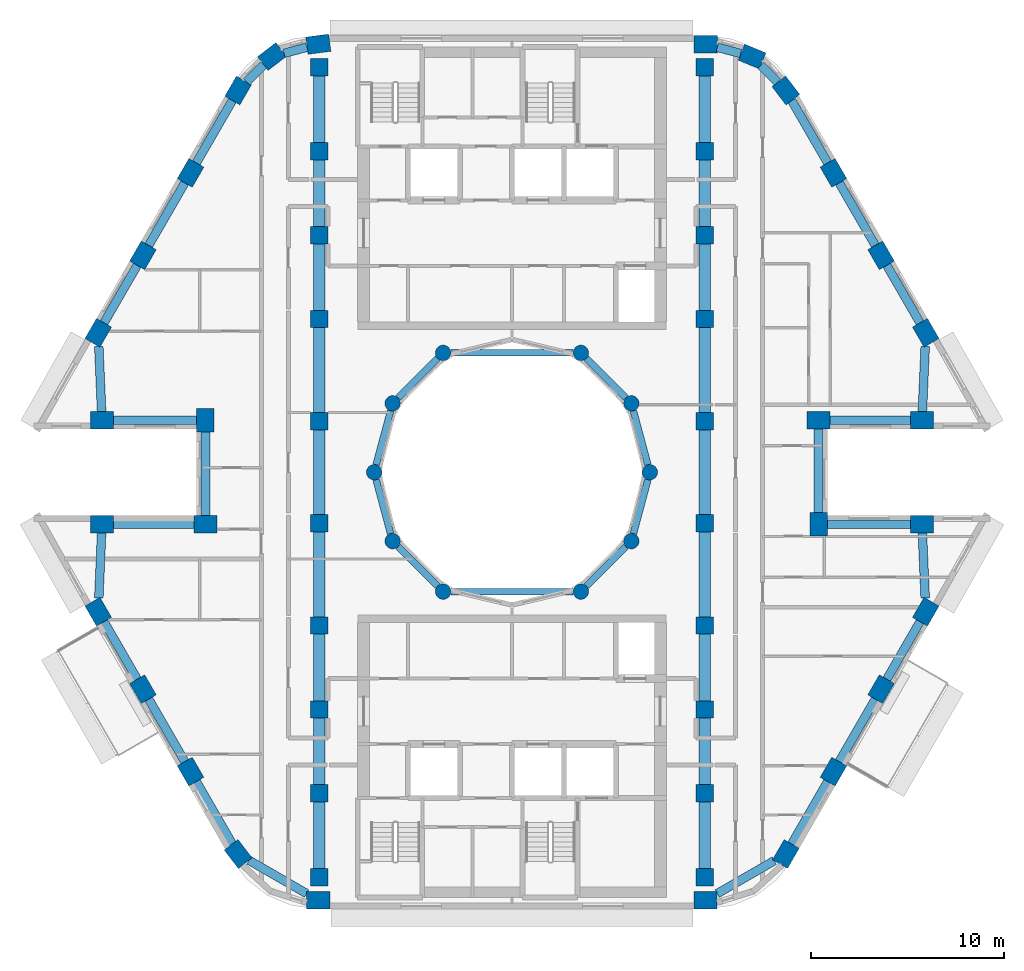
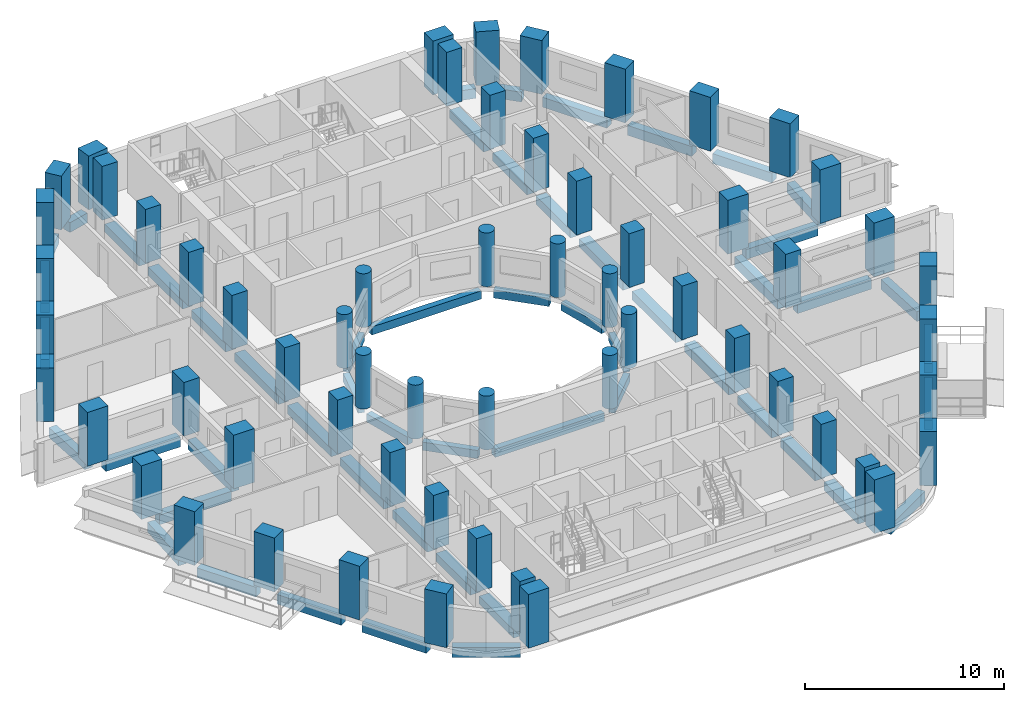
# One storey, part 1 of 16: 60 columns, 56 beams.
"""IFC4 building model written with IfcOpenShell, lengths in metres."""

from ifc_helpers import new_model, si_unit, direction, frame, origin, origin_2d, place, context, subcontext, project, spatial, rectangle, circle, extrude, material, material_profile, profile_set, type_object, element, save


model = new_model("IFC4")

# Units and contexts
model_context = context("Model", 3, precision=1e-05, world=origin(), true_north=direction((0.0, 1.0)))
body_context = subcontext(model_context, "Body", "Model", "MODEL_VIEW")
ifc_project = project(units=[si_unit("LENGTHUNIT", "METRE"), si_unit("AREAUNIT", "SQUARE_METRE"), si_unit("VOLUMEUNIT", "CUBIC_METRE"), si_unit("PLANEANGLEUNIT", "RADIAN"), si_unit("MASSUNIT", "GRAM", prefix="KILO")], contexts=[model_context])

# Site, building, storey
site_placement = place(None, origin())
site = spatial("IfcSite", under=ifc_project, at=site_placement, CompositionType="ELEMENT")
building_placement = place(site_placement, origin())
building = spatial("IfcBuilding", under=site, at=building_placement, Name="Nakaniwa Court", CompositionType="ELEMENT")
storey_placement = place(building_placement, frame((0.0, 0.0, 199.800048828125)))
storey = spatial("IfcBuildingStorey", under=building, at=storey_placement, Name="L52", CompositionType="ELEMENT", Elevation=199.800048828125)

# Columns
ifc_material = material(Name="Concrete C80/100", Category="concrete")
ifc_material_profile_1 = material_profile(ifc_material, rectangle(XDim=1.199951171875, YDim=0.89990234375, at=origin_2d()), Name="Concrete C80/100 RC 1200x900 perimeter column")
ifc_profile_set_1 = profile_set([ifc_material_profile_1], Name="Concrete C80/100")
column_type_1 = type_object("IfcColumnType", Name="Concrete C80/100 RC 1200x900 perimeter column", PredefinedType="COLUMN", material=ifc_profile_set_1)
for number, where, z_axis, x_axis, name in (
    (1, (69.95458984375, 102.199951171875, 0.0), (0.0, 0.0, 1.0), (-0.991442583111, -0.130543496177, 0.0), "COLUMN CO-01"),
    (2, (67.552001953125, 101.560302734375, 0.0), (0.0, 0.0, 1.0), (-0.793363965062, -0.608747582288, 0.0), "COLUMN CO-02"),
    (3, (65.796875, 99.799560546875, 0.0), (0.0, 0.0, 1.0), (-0.5, -0.866025403784, 0.0), "COLUMN CO-03"),
    (4, (63.328857421875, 95.524658203125, 0.0), (0.0, 0.0, 1.0), (-0.5, -0.866025403784, 0.0), "COLUMN CO-04"),
    (5, (60.860595703125, 91.249755859375, 0.0), (0.0, 0.0, 1.0), (-0.5, -0.866025403784, 0.0), "COLUMN CO-05"),
    (6, (58.541015625, 87.232177734375, 0.0), (0.0, 0.0, 1.0), (-0.5, -0.866025403784, 0.0), "COLUMN CO-06"),
    (7, (58.736083984375, 82.699951171875, 0.0), (0.0, 0.0, 1.0), (1.0, 0.0, 0.0), "COLUMN CO-08"),
    (8, (64.1005859375, 82.699951171875, 0.0), (0.0, 0.0, 1.0), (0.0, -1.0, 0.0), "COLUMN CO-09"),
    (9, (64.1005859375, 77.300048828125, 0.0), (0.0, 0.0, 1.0), (-1.0, 0.0, 0.0), "COLUMN CO-10"),
    (10, (58.736083984375, 77.300048828125, 0.0), (0.0, 0.0, 1.0), (-1.0, 0.0, 0.0), "COLUMN CO-11"),
    (11, (58.541015625, 72.767822265625, 0.0), (0.0, 0.0, 1.0), (0.5, -0.866025403784, 0.0), "COLUMN CO-13"),
    (12, (60.860595703125, 68.750244140625, 0.0), (0.0, 0.0, 1.0), (0.5, -0.866025403784, 0.0), "COLUMN CO-14"),
    (13, (63.328857421875, 64.475341796875, 0.0), (0.0, 0.0, 1.0), (0.5, -0.866025403784, 0.0), "COLUMN CO-15"),
    (14, (65.796875, 60.200439453125, 0.0), (0.0, 0.0, 1.0), (0.608761429009, -0.793353340291, 0.0), "COLUMN CO-16"),
    (15, (69.95458984375, 57.800048828125, 0.0), (0.0, 0.0, 1.0), (1.0, 0.0, 0.0), "COLUMN CO-17"),
    (16, (90.03955078125, 57.800048828125, 0.0), (0.0, 0.0, 1.0), (1.0, 0.0, 0.0), "COLUMN CO-21"),
    (17, (94.203125, 60.200439453125, 0.0), (0.0, 0.0, 1.0), (0.5, 0.866025403784, 0.0), "COLUMN CO-22"),
    (18, (96.671142578125, 64.475341796875, 0.0), (0.0, 0.0, 1.0), (0.5, 0.866025403784, 0.0), "COLUMN CO-23"),
    (19, (99.139404296875, 68.750244140625, 0.0), (0.0, 0.0, 1.0), (0.5, 0.866025403784, 0.0), "COLUMN CO-24"),
    (20, (101.458984375, 72.767822265625, 0.0), (0.0, 0.0, 1.0), (0.5, 0.866025403784, 0.0), "COLUMN CO-25"),
    (21, (101.263916015625, 77.300048828125, 0.0), (0.0, 0.0, 1.0), (-1.0, 0.0, 0.0), "COLUMN CO-27"),
    (22, (95.8994140625, 77.300048828125, 0.0), (0.0, 0.0, 1.0), (0.0, 1.0, 0.0), "COLUMN CO-28"),
    (23, (95.8994140625, 82.699951171875, 0.0), (0.0, 0.0, 1.0), (1.0, 0.0, 0.0), "COLUMN CO-29"),
    (24, (101.263916015625, 82.699951171875, 0.0), (0.0, 0.0, 1.0), (1.0, 0.0, 0.0), "COLUMN CO-30"),
    (25, (101.458984375, 87.232177734375, 0.0), (0.0, 0.0, 1.0), (-0.5, 0.866025403784, 0.0), "COLUMN CO-32"),
    (26, (99.139404296875, 91.249755859375, 0.0), (0.0, 0.0, 1.0), (-0.5, 0.866025403784, 0.0), "COLUMN CO-33"),
    (27, (96.671142578125, 95.524658203125, 0.0), (0.0, 0.0, 1.0), (-0.5, 0.866025403784, 0.0), "COLUMN CO-34"),
    (28, (94.203125, 99.799560546875, 0.0), (0.0, 0.0, 1.0), (-0.608761429009, 0.793353340291, 0.0), "COLUMN CO-35"),
    (29, (92.447998046875, 101.560302734375, 0.0), (0.0, 0.0, 1.0), (-0.923879532511, 0.382683432365, 0.0), "COLUMN CO-36"),
    (30, (90.04541015625, 102.199951171875, 0.0), (0.0, 0.0, 1.0), (-1.0, 0.0, 0.0), "COLUMN CO-37"),
):
    element("IfcColumn", number, at=place(storey_placement, frame(where, z_axis=z_axis, x_axis=x_axis)), inside=storey, type_object=column_type_1, Name=name, PredefinedType="COLUMN", context=body_context, shape_type="SweptSolid", body=[
        extrude(rectangle(XDim=1.199951171875, YDim=0.89990234375, at=origin_2d()), origin(), (0.0, 0.0, 1.0), 3.300048828125),
    ])
ifc_material_profile_2 = material_profile(ifc_material, rectangle(XDim=0.89990234375, YDim=0.89990234375, at=origin_2d()), Name="Concrete C80/100 RC 900x900 spine column")
ifc_profile_set_2 = profile_set([ifc_material_profile_2], Name="Concrete C80/100")
column_type_2 = type_object("IfcColumnType", Name="Concrete C80/100 RC 900x900 spine column", PredefinedType="COLUMN", material=ifc_profile_set_2)
for number, where, z_axis, x_axis, name in (
    (31, (90.0, 59.0, 0.0), (0.0, 0.0, 1.0), (0.0, 1.0, 0.0), "COLUMN CS-01"),
    (32, (90.0, 63.35009765625, 0.0), (0.0, 0.0, 1.0), (0.0, 1.0, 0.0), "COLUMN CS-02"),
    (33, (90.0, 67.699951171875, 0.0), (0.0, 0.0, 1.0), (0.0, 1.0, 0.0), "COLUMN CS-03"),
    (34, (90.0, 72.050048828125, 0.0), (0.0, 0.0, 1.0), (0.0, 1.0, 0.0), "COLUMN CS-04"),
    (35, (90.0, 77.35009765625, 0.0), (0.0, 0.0, 1.0), (0.0, 1.0, 0.0), "COLUMN CS-05"),
    (36, (90.0, 82.64990234375, 0.0), (0.0, 0.0, 1.0), (0.0, 1.0, 0.0), "COLUMN CS-06"),
    (37, (90.0, 87.949951171875, 0.0), (0.0, 0.0, 1.0), (0.0, 1.0, 0.0), "COLUMN CS-07"),
    (38, (90.0, 92.300048828125, 0.0), (0.0, 0.0, 1.0), (0.0, 1.0, 0.0), "COLUMN CS-08"),
    (39, (90.0, 96.64990234375, 0.0), (0.0, 0.0, 1.0), (0.0, 1.0, 0.0), "COLUMN CS-09"),
    (40, (90.0, 101.0, 0.0), (0.0, 0.0, 1.0), (0.0, 1.0, 0.0), "COLUMN CS-10"),
    (41, (70.0, 101.0, 0.0), (0.0, 0.0, 1.0), (0.0, -1.0, 0.0), "COLUMN CS-11"),
    (42, (70.0, 96.64990234375, 0.0), (0.0, 0.0, 1.0), (0.0, -1.0, 0.0), "COLUMN CS-12"),
    (43, (70.0, 92.300048828125, 0.0), (0.0, 0.0, 1.0), (0.0, -1.0, 0.0), "COLUMN CS-13"),
    (44, (70.0, 87.949951171875, 0.0), (0.0, 0.0, 1.0), (0.0, -1.0, 0.0), "COLUMN CS-14"),
    (45, (70.0, 82.64990234375, 0.0), (0.0, 0.0, 1.0), (0.0, -1.0, 0.0), "COLUMN CS-15"),
    (46, (70.0, 77.35009765625, 0.0), (0.0, 0.0, 1.0), (0.0, -1.0, 0.0), "COLUMN CS-16"),
    (47, (70.0, 72.050048828125, 0.0), (0.0, 0.0, 1.0), (0.0, -1.0, 0.0), "COLUMN CS-17"),
    (48, (70.0, 67.699951171875, 0.0), (0.0, 0.0, 1.0), (0.0, -1.0, 0.0), "COLUMN CS-18"),
    (49, (70.0, 63.35009765625, 0.0), (0.0, 0.0, 1.0), (0.0, -1.0, 0.0), "COLUMN CS-19"),
    (50, (70.0, 59.0, 0.0), (0.0, 0.0, 1.0), (0.0, -1.0, 0.0), "COLUMN CS-20"),
):
    element("IfcColumn", number, at=place(storey_placement, frame(where, z_axis=z_axis, x_axis=x_axis)), inside=storey, type_object=column_type_2, Name=name, PredefinedType="COLUMN", context=body_context, shape_type="SweptSolid", body=[
        extrude(rectangle(XDim=0.89990234375, YDim=0.89990234375, at=origin_2d()), origin(), (0.0, 0.0, 1.0), 3.300048828125),
    ])
ifc_material_profile_3 = material_profile(ifc_material, circle(Radius=0.39990234375, at=origin_2d()), Name="Concrete C80/100 RC D800 inner ring column")
ifc_profile_set_3 = profile_set([ifc_material_profile_3], Name="Concrete C80/100")
column_type_3 = type_object("IfcColumnType", Name="Concrete C80/100 RC D800 inner ring column", PredefinedType="COLUMN", material=ifc_profile_set_3)
for number, where, z_axis, x_axis, name in (
    (51, (87.14990234375, 80.0, 0.0), (0.0, 0.0, 1.0), (0.0, 1.0, 0.0), "COLUMN CI-01"),
    (52, (86.192138671875, 83.574951171875, 0.0), (0.0, 0.0, 1.0), (-0.5, 0.866025403784, 0.0), "COLUMN CI-02"),
    (53, (83.574951171875, 86.192138671875, 0.0), (0.0, 0.0, 1.0), (-0.866025403784, 0.5, 0.0), "COLUMN CI-03"),
    (54, (76.425048828125, 86.192138671875, 0.0), (0.0, 0.0, 1.0), (-0.866025403784, -0.5, 0.0), "COLUMN CI-05"),
    (55, (73.807861328125, 83.574951171875, 0.0), (0.0, 0.0, 1.0), (-0.5, -0.866025403784, 0.0), "COLUMN CI-06"),
    (56, (72.85009765625, 80.0, 0.0), (0.0, 0.0, 1.0), (0.0, -1.0, 0.0), "COLUMN CI-07"),
    (57, (73.807861328125, 76.425048828125, 0.0), (0.0, 0.0, 1.0), (0.5, -0.866025403784, 0.0), "COLUMN CI-08"),
    (58, (76.425048828125, 73.807861328125, 0.0), (0.0, 0.0, 1.0), (0.866025403784, -0.5, 0.0), "COLUMN CI-09"),
    (59, (83.574951171875, 73.807861328125, 0.0), (0.0, 0.0, 1.0), (0.866025403784, 0.5, 0.0), "COLUMN CI-11"),
    (60, (86.192138671875, 76.425048828125, 0.0), (0.0, 0.0, 1.0), (0.5, 0.866025403784, 0.0), "COLUMN CI-12"),
):
    element("IfcColumn", number, at=place(storey_placement, frame(where, z_axis=z_axis, x_axis=x_axis)), inside=storey, type_object=column_type_3, Name=name, PredefinedType="COLUMN", context=body_context, shape_type="SweptSolid", body=[
        extrude(circle(Radius=0.39990234375, at=origin_2d()), origin(), (0.0, 0.0, 1.0), 3.300048828125),
    ])

# Beams
ifc_material_profile_4 = material_profile(ifc_material, rectangle(XDim=0.35009765625, YDim=0.5, at=origin_2d()), Name="Concrete C80/100 RC 350x500 ring beam")
ifc_profile_set_4 = profile_set([ifc_material_profile_4], Name="Concrete C80/100")
beam_type_1 = type_object("IfcBeamType", Name="Concrete C80/100 RC 350x500 ring beam", PredefinedType="BEAM", material=ifc_profile_set_4)
beam_1_placement = place(storey_placement, frame((87.04638671875, 80.386474609375, -0.525146484375), z_axis=(-0.258778150207, 0.965936783115, 0.0), x_axis=(-0.965936783115, -0.258778150207, 0.0)))
element("IfcBeam", 61, at=beam_1_placement, inside=storey, type_object=beam_type_1, Name="RING BEAM", PredefinedType="BEAM", context=body_context, shape_type="SweptSolid", body=[
    extrude(rectangle(XDim=0.35009765625, YDim=0.5, at=origin_2d()), origin(), (0.0, 0.0, 1.0), 2.901123046875),
])
beam_2_placement = place(storey_placement, frame((85.9091796875, 83.85791015625, -0.525146484375), z_axis=(-0.707106781187, 0.707106781187, 0.0), x_axis=(-0.707106781187, -0.707106781187, 0.0)))
element("IfcBeam", 62, at=beam_2_placement, inside=storey, type_object=beam_type_1, Name="RING BEAM", PredefinedType="BEAM", context=body_context, shape_type="SweptSolid", body=[
    extrude(rectangle(XDim=0.35009765625, YDim=0.5, at=origin_2d()), origin(), (0.0, 0.0, 1.0), 2.90087890625),
])
beam_3_placement = place(storey_placement, frame((83.175048828125, 86.192138671875, -0.525146484375), z_axis=(-1.0, 0.0, 0.0), x_axis=(0.0, -1.0, 0.0)))
element("IfcBeam", 63, at=beam_3_placement, inside=storey, type_object=beam_type_1, Name="RING BEAM", PredefinedType="BEAM", context=body_context, shape_type="SweptSolid", body=[
    extrude(rectangle(XDim=0.35009765625, YDim=0.5, at=origin_2d()), origin(), (0.0, 0.0, 1.0), 6.35009765625),
])
beam_4_placement = place(storey_placement, frame((76.14208984375, 85.9091796875, -0.525146484375), z_axis=(-0.707106781187, -0.707106781187, 0.0), x_axis=(0.707106781187, -0.707106781187, 0.0)))
element("IfcBeam", 64, at=beam_4_placement, inside=storey, type_object=beam_type_1, Name="RING BEAM", PredefinedType="BEAM", context=body_context, shape_type="SweptSolid", body=[
    extrude(rectangle(XDim=0.35009765625, YDim=0.5, at=origin_2d()), origin(), (0.0, 0.0, 1.0), 2.90087890625),
])
for number, where, z_axis, x_axis, name in (
    (65, (73.704345703125, 83.188720703125, -0.525146484375), (-0.258778150207, -0.965936783115, 0.0), (0.965936783115, -0.258778150207, 0.0), "RING BEAM"),
    (66, (72.95361328125, 79.613525390625, -0.525146484375), (0.258778150207, -0.965936783115, 0.0), (0.965936783115, 0.258778150207, 0.0), "RING BEAM"),
):
    element("IfcBeam", number, at=place(storey_placement, frame(where, z_axis=z_axis, x_axis=x_axis)), inside=storey, type_object=beam_type_1, Name=name, PredefinedType="BEAM", context=body_context, shape_type="SweptSolid", body=[
        extrude(rectangle(XDim=0.35009765625, YDim=0.5, at=origin_2d()), origin(), (0.0, 0.0, 1.0), 2.901123046875),
    ])
beam_5_placement = place(storey_placement, frame((74.0908203125, 76.14208984375, -0.525146484375), z_axis=(0.707106781187, -0.707106781187, 0.0), x_axis=(0.707106781187, 0.707106781187, 0.0)))
element("IfcBeam", 67, at=beam_5_placement, inside=storey, type_object=beam_type_1, Name="RING BEAM", PredefinedType="BEAM", context=body_context, shape_type="SweptSolid", body=[
    extrude(rectangle(XDim=0.35009765625, YDim=0.5, at=origin_2d()), origin(), (0.0, 0.0, 1.0), 2.90087890625),
])
beam_6_placement = place(storey_placement, frame((76.824951171875, 73.807861328125, -0.525146484375), z_axis=(1.0, 0.0, 0.0), x_axis=(0.0, 1.0, 0.0)))
element("IfcBeam", 68, at=beam_6_placement, inside=storey, type_object=beam_type_1, Name="RING BEAM", PredefinedType="BEAM", context=body_context, shape_type="SweptSolid", body=[
    extrude(rectangle(XDim=0.35009765625, YDim=0.5, at=origin_2d()), origin(), (0.0, 0.0, 1.0), 6.35009765625),
])
beam_7_placement = place(storey_placement, frame((83.85791015625, 74.0908203125, -0.525146484375), z_axis=(0.707106781187, 0.707106781187, 0.0), x_axis=(-0.707106781187, 0.707106781187, 0.0)))
element("IfcBeam", 69, at=beam_7_placement, inside=storey, type_object=beam_type_1, Name="RING BEAM", PredefinedType="BEAM", context=body_context, shape_type="SweptSolid", body=[
    extrude(rectangle(XDim=0.35009765625, YDim=0.5, at=origin_2d()), origin(), (0.0, 0.0, 1.0), 2.90087890625),
])
beam_8_placement = place(storey_placement, frame((86.295654296875, 76.811279296875, -0.525146484375), z_axis=(0.258778150207, 0.965936783115, 0.0), x_axis=(-0.965936783115, 0.258778150207, 0.0)))
element("IfcBeam", 70, at=beam_8_placement, inside=storey, type_object=beam_type_1, Name="RING BEAM", PredefinedType="BEAM", context=body_context, shape_type="SweptSolid", body=[
    extrude(rectangle(XDim=0.35009765625, YDim=0.5, at=origin_2d()), origin(), (0.0, 0.0, 1.0), 2.901123046875),
])
ifc_material_profile_5 = material_profile(ifc_material, rectangle(XDim=0.449951171875, YDim=0.60009765625, at=origin_2d()), Name="Concrete C80/100 RC 450x600 spandrel beam")
ifc_profile_set_5 = profile_set([ifc_material_profile_5], Name="Concrete C80/100")
beam_type_2 = type_object("IfcBeamType", Name="Concrete C80/100 RC 450x600 spandrel beam", PredefinedType="BEAM", material=ifc_profile_set_5)
beam_9_placement = place(storey_placement, frame((69.3701171875, 102.044189453125, -0.574951171875), z_axis=(-0.966320442624, -0.257341800272, 0.0), x_axis=(0.257341800272, -0.966320442624, 0.0)))
element("IfcBeam", 71, at=beam_9_placement, inside=storey, type_object=beam_type_2, Name="SPANDREL BEAM", PredefinedType="BEAM", context=body_context, shape_type="SweptSolid", body=[
    extrude(rectangle(XDim=0.449951171875, YDim=0.60009765625, at=origin_2d()), origin(), (0.0, 0.0, 1.0), 1.2314453125),
])
beam_10_placement = place(storey_placement, frame((67.124755859375, 101.131591796875, -0.574951171875), z_axis=(-0.705943141011, -0.708268509578, 0.0), x_axis=(0.708268509578, -0.705943141011, 0.0)))
element("IfcBeam", 72, at=beam_10_placement, inside=storey, type_object=beam_type_2, Name="SPANDREL BEAM", PredefinedType="BEAM", context=body_context, shape_type="SweptSolid", body=[
    extrude(rectangle(XDim=0.449951171875, YDim=0.60009765625, at=origin_2d()), origin(), (0.0, 0.0, 1.0), 1.259765625),
])
for number, where, z_axis, x_axis, name in (
    (73, (65.496826171875, 99.27978515625, -0.574951171875), (-0.499969460568, -0.866043035016, 0.0), (0.866043035016, -0.499969460568, 0.0), "SPANDREL BEAM"),
    (74, (63.02880859375, 95.0048828125, -0.574951171875), (-0.500018470369, -0.866014739649, 0.0), (0.866014739649, -0.500018470369, 0.0), "SPANDREL BEAM"),
):
    element("IfcBeam", number, at=place(storey_placement, frame(where, z_axis=z_axis, x_axis=x_axis)), inside=storey, type_object=beam_type_2, Name=name, PredefinedType="BEAM", context=body_context, shape_type="SweptSolid", body=[
        extrude(rectangle(XDim=0.449951171875, YDim=0.60009765625, at=origin_2d()), origin(), (0.0, 0.0, 1.0), 3.736083984375),
    ])
beam_11_placement = place(storey_placement, frame((60.560791015625, 90.72998046875, -0.574951171875), z_axis=(-0.500048133448, -0.865997612142, 0.0), x_axis=(0.865997612142, -0.500048133448, 0.0)))
element("IfcBeam", 75, at=beam_11_placement, inside=storey, type_object=beam_type_2, Name="SPANDREL BEAM", PredefinedType="BEAM", context=body_context, shape_type="SweptSolid", body=[
    extrude(rectangle(XDim=0.449951171875, YDim=0.60009765625, at=origin_2d()), origin(), (0.0, 0.0, 1.0), 3.439208984375),
])
beam_12_placement = place(storey_placement, frame((58.57177734375, 86.521728515625, -0.574951171875), z_axis=(0.042897265713, -0.999079488627, 0.0), x_axis=(0.999079488627, 0.042897265713, 0.0)))
element("IfcBeam", 76, at=beam_12_placement, inside=storey, type_object=beam_type_2, Name="SPANDREL BEAM", PredefinedType="BEAM", context=body_context, shape_type="SweptSolid", body=[
    extrude(rectangle(XDim=0.449951171875, YDim=0.60009765625, at=origin_2d()), origin(), (0.0, 0.0, 1.0), 3.375),
])
beam_13_placement = place(storey_placement, frame((59.3359375, 82.699951171875, -0.574951171875), z_axis=(1.0, 0.0, 0.0), x_axis=(0.0, 1.0, 0.0)))
element("IfcBeam", 77, at=beam_13_placement, inside=storey, type_object=beam_type_2, Name="SPANDREL BEAM", PredefinedType="BEAM", context=body_context, shape_type="SweptSolid", body=[
    extrude(rectangle(XDim=0.449951171875, YDim=0.60009765625, at=origin_2d()), origin(), (0.0, 0.0, 1.0), 4.314453125),
])
beam_14_placement = place(storey_placement, frame((64.1005859375, 82.10009765625, -0.574951171875), z_axis=(0.0, -1.0, 0.0), x_axis=(1.0, 0.0, 0.0)))
element("IfcBeam", 78, at=beam_14_placement, inside=storey, type_object=beam_type_2, Name="SPANDREL BEAM", PredefinedType="BEAM", context=body_context, shape_type="SweptSolid", body=[
    extrude(rectangle(XDim=0.449951171875, YDim=0.60009765625, at=origin_2d()), origin(), (0.0, 0.0, 1.0), 4.35009765625),
])
beam_15_placement = place(storey_placement, frame((63.50048828125, 77.300048828125, -0.574951171875), z_axis=(-1.0, 0.0, 0.0), x_axis=(0.0, -1.0, 0.0)))
element("IfcBeam", 79, at=beam_15_placement, inside=storey, type_object=beam_type_2, Name="SPANDREL BEAM", PredefinedType="BEAM", context=body_context, shape_type="SweptSolid", body=[
    extrude(rectangle(XDim=0.449951171875, YDim=0.60009765625, at=origin_2d()), origin(), (0.0, 0.0, 1.0), 4.16455078125),
])
beam_16_placement = place(storey_placement, frame((58.716552734375, 76.85009765625, -0.574951171875), z_axis=(-0.042897265713, -0.999079488627, 0.0), x_axis=(0.999079488627, -0.042897265713, 0.0)))
element("IfcBeam", 80, at=beam_16_placement, inside=storey, type_object=beam_type_2, Name="SPANDREL BEAM", PredefinedType="BEAM", context=body_context, shape_type="SweptSolid", body=[
    extrude(rectangle(XDim=0.449951171875, YDim=0.60009765625, at=origin_2d()), origin(), (0.0, 0.0, 1.0), 3.375),
])
beam_17_placement = place(storey_placement, frame((58.841064453125, 72.248291015625, -0.574951171875), z_axis=(0.500048133448, -0.865997612142, 0.0), x_axis=(0.865997612142, 0.500048133448, 0.0)))
element("IfcBeam", 81, at=beam_17_placement, inside=storey, type_object=beam_type_2, Name="SPANDREL BEAM", PredefinedType="BEAM", context=body_context, shape_type="SweptSolid", body=[
    extrude(rectangle(XDim=0.449951171875, YDim=0.60009765625, at=origin_2d()), origin(), (0.0, 0.0, 1.0), 3.439208984375),
])
beam_18_placement = place(storey_placement, frame((61.16064453125, 68.230712890625, -0.574951171875), z_axis=(0.500018470369, -0.866014739649, 0.0), x_axis=(0.866014739649, 0.500018470369, 0.0)))
element("IfcBeam", 82, at=beam_18_placement, inside=storey, type_object=beam_type_2, Name="SPANDREL BEAM", PredefinedType="BEAM", context=body_context, shape_type="SweptSolid", body=[
    extrude(rectangle(XDim=0.449951171875, YDim=0.60009765625, at=origin_2d()), origin(), (0.0, 0.0, 1.0), 3.736083984375),
])
beam_19_placement = place(storey_placement, frame((63.62890625, 63.955810546875, -0.574951171875), z_axis=(0.499988672538, -0.866031943599, 0.0), x_axis=(0.866031943599, 0.499988672538, 0.0)))
element("IfcBeam", 83, at=beam_19_placement, inside=storey, type_object=beam_type_2, Name="SPANDREL BEAM", PredefinedType="BEAM", context=body_context, shape_type="SweptSolid", body=[
    extrude(rectangle(XDim=0.449951171875, YDim=0.60009765625, at=origin_2d()), origin(), (0.0, 0.0, 1.0), 3.73095703125),
])
beam_20_placement = place(storey_placement, frame((66.359375, 59.875732421875, -0.574951171875), z_axis=(0.866041005548, -0.49997297598, 0.0), x_axis=(0.49997297598, 0.866041005548, 0.0)))
element("IfcBeam", 84, at=beam_20_placement, inside=storey, type_object=beam_type_2, Name="SPANDREL BEAM", PredefinedType="BEAM", context=body_context, shape_type="SweptSolid", body=[
    extrude(rectangle(XDim=0.449951171875, YDim=0.60009765625, at=origin_2d()), origin(), (0.0, 0.0, 1.0), 3.458740234375),
])
beam_21_placement = place(storey_placement, frame((90.639404296875, 58.14599609375, -0.574951171875), z_axis=(0.866361397704, 0.499417589367, 0.0), x_axis=(-0.499417589367, 0.866361397704, 0.0)))
element("IfcBeam", 85, at=beam_21_placement, inside=storey, type_object=beam_type_2, Name="SPANDREL BEAM", PredefinedType="BEAM", context=body_context, shape_type="SweptSolid", body=[
    extrude(rectangle(XDim=0.449951171875, YDim=0.60009765625, at=origin_2d()), origin(), (0.0, 0.0, 1.0), 3.42041015625),
])
for number, where, z_axis, x_axis, name in (
    (86, (94.503173828125, 60.72021484375, -0.574951171875), (0.499969460568, 0.866043035016, 0.0), (-0.866043035016, 0.499969460568, 0.0), "SPANDREL BEAM"),
    (87, (96.97119140625, 64.9951171875, -0.574951171875), (0.500018470369, 0.866014739649, 0.0), (-0.866014739649, 0.500018470369, 0.0), "SPANDREL BEAM"),
):
    element("IfcBeam", number, at=place(storey_placement, frame(where, z_axis=z_axis, x_axis=x_axis)), inside=storey, type_object=beam_type_2, Name=name, PredefinedType="BEAM", context=body_context, shape_type="SweptSolid", body=[
        extrude(rectangle(XDim=0.449951171875, YDim=0.60009765625, at=origin_2d()), origin(), (0.0, 0.0, 1.0), 3.736083984375),
    ])
beam_22_placement = place(storey_placement, frame((99.439208984375, 69.27001953125, -0.574951171875), z_axis=(0.500048133448, 0.865997612142, 0.0), x_axis=(-0.865997612142, 0.500048133448, 0.0)))
element("IfcBeam", 88, at=beam_22_placement, inside=storey, type_object=beam_type_2, Name="SPANDREL BEAM", PredefinedType="BEAM", context=body_context, shape_type="SweptSolid", body=[
    extrude(rectangle(XDim=0.449951171875, YDim=0.60009765625, at=origin_2d()), origin(), (0.0, 0.0, 1.0), 3.439208984375),
])
beam_23_placement = place(storey_placement, frame((101.42822265625, 73.478271484375, -0.574951171875), z_axis=(-0.042897265713, 0.999079488627, 0.0), x_axis=(-0.999079488627, -0.042897265713, 0.0)))
element("IfcBeam", 89, at=beam_23_placement, inside=storey, type_object=beam_type_2, Name="SPANDREL BEAM", PredefinedType="BEAM", context=body_context, shape_type="SweptSolid", body=[
    extrude(rectangle(XDim=0.449951171875, YDim=0.60009765625, at=origin_2d()), origin(), (0.0, 0.0, 1.0), 3.375),
])
beam_24_placement = place(storey_placement, frame((100.6640625, 77.300048828125, -0.574951171875), z_axis=(-1.0, 0.0, 0.0), x_axis=(0.0, -1.0, 0.0)))
element("IfcBeam", 90, at=beam_24_placement, inside=storey, type_object=beam_type_2, Name="SPANDREL BEAM", PredefinedType="BEAM", context=body_context, shape_type="SweptSolid", body=[
    extrude(rectangle(XDim=0.449951171875, YDim=0.60009765625, at=origin_2d()), origin(), (0.0, 0.0, 1.0), 4.314453125),
])
beam_25_placement = place(storey_placement, frame((95.8994140625, 77.89990234375, -0.574951171875), z_axis=(0.0, 1.0, 0.0), x_axis=(-1.0, 0.0, 0.0)))
element("IfcBeam", 91, at=beam_25_placement, inside=storey, type_object=beam_type_2, Name="SPANDREL BEAM", PredefinedType="BEAM", context=body_context, shape_type="SweptSolid", body=[
    extrude(rectangle(XDim=0.449951171875, YDim=0.60009765625, at=origin_2d()), origin(), (0.0, 0.0, 1.0), 4.35009765625),
])
beam_26_placement = place(storey_placement, frame((96.49951171875, 82.699951171875, -0.574951171875), z_axis=(1.0, 0.0, 0.0), x_axis=(0.0, 1.0, 0.0)))
element("IfcBeam", 92, at=beam_26_placement, inside=storey, type_object=beam_type_2, Name="SPANDREL BEAM", PredefinedType="BEAM", context=body_context, shape_type="SweptSolid", body=[
    extrude(rectangle(XDim=0.449951171875, YDim=0.60009765625, at=origin_2d()), origin(), (0.0, 0.0, 1.0), 4.16455078125),
])
beam_27_placement = place(storey_placement, frame((101.283447265625, 83.14990234375, -0.574951171875), z_axis=(0.042897265713, 0.999079488627, 0.0), x_axis=(-0.999079488627, 0.042897265713, 0.0)))
element("IfcBeam", 93, at=beam_27_placement, inside=storey, type_object=beam_type_2, Name="SPANDREL BEAM", PredefinedType="BEAM", context=body_context, shape_type="SweptSolid", body=[
    extrude(rectangle(XDim=0.449951171875, YDim=0.60009765625, at=origin_2d()), origin(), (0.0, 0.0, 1.0), 3.375),
])
beam_28_placement = place(storey_placement, frame((101.158935546875, 87.751708984375, -0.574951171875), z_axis=(-0.500048133448, 0.865997612142, 0.0), x_axis=(-0.865997612142, -0.500048133448, 0.0)))
element("IfcBeam", 94, at=beam_28_placement, inside=storey, type_object=beam_type_2, Name="SPANDREL BEAM", PredefinedType="BEAM", context=body_context, shape_type="SweptSolid", body=[
    extrude(rectangle(XDim=0.449951171875, YDim=0.60009765625, at=origin_2d()), origin(), (0.0, 0.0, 1.0), 3.439208984375),
])
beam_29_placement = place(storey_placement, frame((98.83935546875, 91.769287109375, -0.574951171875), z_axis=(-0.500018470369, 0.866014739649, 0.0), x_axis=(-0.866014739649, -0.500018470369, 0.0)))
element("IfcBeam", 95, at=beam_29_placement, inside=storey, type_object=beam_type_2, Name="SPANDREL BEAM", PredefinedType="BEAM", context=body_context, shape_type="SweptSolid", body=[
    extrude(rectangle(XDim=0.449951171875, YDim=0.60009765625, at=origin_2d()), origin(), (0.0, 0.0, 1.0), 3.736083984375),
])
beam_30_placement = place(storey_placement, frame((96.37109375, 96.044189453125, -0.574951171875), z_axis=(-0.499988672538, 0.866031943599, 0.0), x_axis=(-0.866031943599, -0.499988672538, 0.0)))
element("IfcBeam", 96, at=beam_30_placement, inside=storey, type_object=beam_type_2, Name="SPANDREL BEAM", PredefinedType="BEAM", context=body_context, shape_type="SweptSolid", body=[
    extrude(rectangle(XDim=0.449951171875, YDim=0.60009765625, at=origin_2d()), origin(), (0.0, 0.0, 1.0), 3.73095703125),
])
beam_31_placement = place(storey_placement, frame((93.77587890625, 100.22802734375, -0.574951171875), z_axis=(-0.705916034154, 0.708295526404, 0.0), x_axis=(-0.708295526404, -0.705916034154, 0.0)))
element("IfcBeam", 97, at=beam_31_placement, inside=storey, type_object=beam_type_2, Name="SPANDREL BEAM", PredefinedType="BEAM", context=body_context, shape_type="SweptSolid", body=[
    extrude(rectangle(XDim=0.449951171875, YDim=0.60009765625, at=origin_2d()), origin(), (0.0, 0.0, 1.0), 1.231201171875),
])
beam_32_placement = place(storey_placement, frame((91.863037109375, 101.716064453125, -0.574951171875), z_axis=(-0.966337757832, 0.257276772735, 0.0), x_axis=(-0.257276772735, -0.966337757832, 0.0)))
element("IfcBeam", 98, at=beam_32_placement, inside=storey, type_object=beam_type_2, Name="SPANDREL BEAM", PredefinedType="BEAM", context=body_context, shape_type="SweptSolid", body=[
    extrude(rectangle(XDim=0.449951171875, YDim=0.60009765625, at=origin_2d()), origin(), (0.0, 0.0, 1.0), 1.26025390625),
])
ifc_material_profile_6 = material_profile(ifc_material, rectangle(XDim=0.60009765625, YDim=0.5, at=origin_2d()), Name="Concrete C80/100 RC 600x500 ring beam")
ifc_profile_set_6 = profile_set([ifc_material_profile_6], Name="Concrete C80/100")
beam_type_3 = type_object("IfcBeamType", Name="Concrete C80/100 RC 600x500 ring beam", PredefinedType="BEAM", material=ifc_profile_set_6)
for number, where, z_axis, x_axis, name in (
    (99, (90.0, 59.449951171875, -0.525146484375), (0.0, 1.0, 0.0), (-1.0, 0.0, 0.0), "RING BEAM"),
    (100, (90.0, 63.800048828125, -0.525146484375), (0.0, 1.0, 0.0), (-1.0, 0.0, 0.0), "RING BEAM"),
):
    element("IfcBeam", number, at=place(storey_placement, frame(where, z_axis=z_axis, x_axis=x_axis)), inside=storey, type_object=beam_type_3, Name=name, PredefinedType="BEAM", context=body_context, shape_type="SweptSolid", body=[
        extrude(rectangle(XDim=0.60009765625, YDim=0.5, at=origin_2d()), origin(), (0.0, 0.0, 1.0), 3.449951171875),
    ])
beam_33_placement = place(storey_placement, frame((90.0, 68.14990234375, -0.525146484375), z_axis=(0.0, 1.0, 0.0), x_axis=(-1.0, 0.0, 0.0)))
element("IfcBeam", 101, at=beam_33_placement, inside=storey, type_object=beam_type_3, Name="RING BEAM", PredefinedType="BEAM", context=body_context, shape_type="SweptSolid", body=[
    extrude(rectangle(XDim=0.60009765625, YDim=0.5, at=origin_2d()), origin(), (0.0, 0.0, 1.0), 3.4501953125),
])
for number, where, z_axis, x_axis, name in (
    (102, (90.0, 72.5, -0.525146484375), (0.0, 1.0, 0.0), (-1.0, 0.0, 0.0), "RING BEAM"),
    (103, (90.0, 77.800048828125, -0.525146484375), (0.0, 1.0, 0.0), (-1.0, 0.0, 0.0), "RING BEAM"),
    (104, (90.0, 83.10009765625, -0.525146484375), (0.0, 1.0, 0.0), (-1.0, 0.0, 0.0), "RING BEAM"),
):
    element("IfcBeam", number, at=place(storey_placement, frame(where, z_axis=z_axis, x_axis=x_axis)), inside=storey, type_object=beam_type_3, Name=name, PredefinedType="BEAM", context=body_context, shape_type="SweptSolid", body=[
        extrude(rectangle(XDim=0.60009765625, YDim=0.5, at=origin_2d()), origin(), (0.0, 0.0, 1.0), 4.39990234375),
    ])
beam_34_placement = place(storey_placement, frame((90.0, 88.39990234375, -0.525146484375), z_axis=(0.0, 1.0, 0.0), x_axis=(-1.0, 0.0, 0.0)))
element("IfcBeam", 105, at=beam_34_placement, inside=storey, type_object=beam_type_3, Name="RING BEAM", PredefinedType="BEAM", context=body_context, shape_type="SweptSolid", body=[
    extrude(rectangle(XDim=0.60009765625, YDim=0.5, at=origin_2d()), origin(), (0.0, 0.0, 1.0), 3.4501953125),
])
for number, where, z_axis, x_axis, name in (
    (106, (90.0, 92.75, -0.525146484375), (0.0, 1.0, 0.0), (-1.0, 0.0, 0.0), "RING BEAM"),
    (107, (90.0, 97.10009765625, -0.525146484375), (0.0, 1.0, 0.0), (-1.0, 0.0, 0.0), "RING BEAM"),
    (108, (70.0, 100.550048828125, -0.525146484375), (0.0, -1.0, 0.0), (1.0, 0.0, 0.0), "RING BEAM"),
    (109, (70.0, 96.199951171875, -0.525146484375), (0.0, -1.0, 0.0), (1.0, 0.0, 0.0), "RING BEAM"),
):
    element("IfcBeam", number, at=place(storey_placement, frame(where, z_axis=z_axis, x_axis=x_axis)), inside=storey, type_object=beam_type_3, Name=name, PredefinedType="BEAM", context=body_context, shape_type="SweptSolid", body=[
        extrude(rectangle(XDim=0.60009765625, YDim=0.5, at=origin_2d()), origin(), (0.0, 0.0, 1.0), 3.449951171875),
    ])
beam_35_placement = place(storey_placement, frame((70.0, 91.85009765625, -0.525146484375), z_axis=(0.0, -1.0, 0.0), x_axis=(1.0, 0.0, 0.0)))
element("IfcBeam", 110, at=beam_35_placement, inside=storey, type_object=beam_type_3, Name="RING BEAM", PredefinedType="BEAM", context=body_context, shape_type="SweptSolid", body=[
    extrude(rectangle(XDim=0.60009765625, YDim=0.5, at=origin_2d()), origin(), (0.0, 0.0, 1.0), 3.4501953125),
])
for number, where, z_axis, x_axis, name in (
    (111, (70.0, 87.5, -0.525146484375), (0.0, -1.0, 0.0), (1.0, 0.0, 0.0), "RING BEAM"),
    (112, (70.0, 82.199951171875, -0.525146484375), (0.0, -1.0, 0.0), (1.0, 0.0, 0.0), "RING BEAM"),
    (113, (70.0, 76.89990234375, -0.525146484375), (0.0, -1.0, 0.0), (1.0, 0.0, 0.0), "RING BEAM"),
):
    element("IfcBeam", number, at=place(storey_placement, frame(where, z_axis=z_axis, x_axis=x_axis)), inside=storey, type_object=beam_type_3, Name=name, PredefinedType="BEAM", context=body_context, shape_type="SweptSolid", body=[
        extrude(rectangle(XDim=0.60009765625, YDim=0.5, at=origin_2d()), origin(), (0.0, 0.0, 1.0), 4.39990234375),
    ])
beam_36_placement = place(storey_placement, frame((70.0, 71.60009765625, -0.525146484375), z_axis=(0.0, -1.0, 0.0), x_axis=(1.0, 0.0, 0.0)))
element("IfcBeam", 114, at=beam_36_placement, inside=storey, type_object=beam_type_3, Name="RING BEAM", PredefinedType="BEAM", context=body_context, shape_type="SweptSolid", body=[
    extrude(rectangle(XDim=0.60009765625, YDim=0.5, at=origin_2d()), origin(), (0.0, 0.0, 1.0), 3.4501953125),
])
for number, where, z_axis, x_axis, name in (
    (115, (70.0, 67.25, -0.525146484375), (0.0, -1.0, 0.0), (1.0, 0.0, 0.0), "RING BEAM"),
    (116, (70.0, 62.89990234375, -0.525146484375), (0.0, -1.0, 0.0), (1.0, 0.0, 0.0), "RING BEAM"),
):
    element("IfcBeam", number, at=place(storey_placement, frame(where, z_axis=z_axis, x_axis=x_axis)), inside=storey, type_object=beam_type_3, Name=name, PredefinedType="BEAM", context=body_context, shape_type="SweptSolid", body=[
        extrude(rectangle(XDim=0.60009765625, YDim=0.5, at=origin_2d()), origin(), (0.0, 0.0, 1.0), 3.449951171875),
    ])

save(model, "model.ifc")
